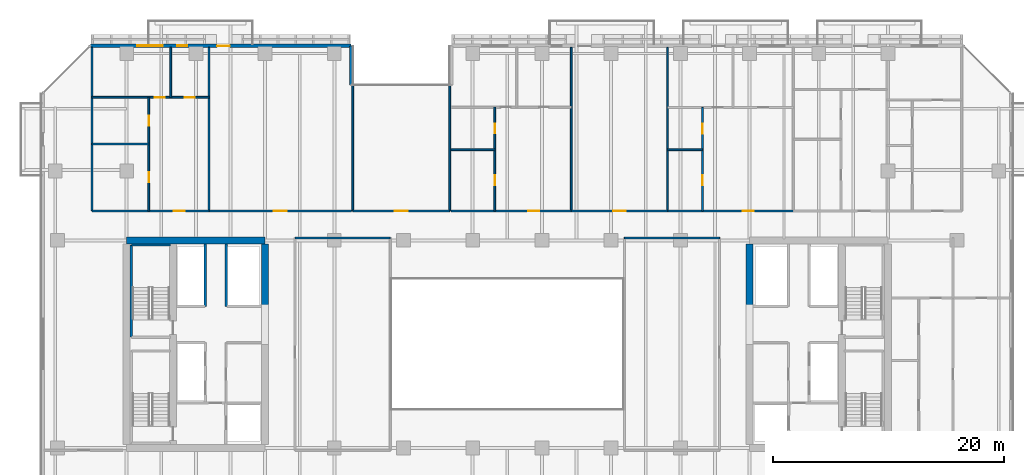
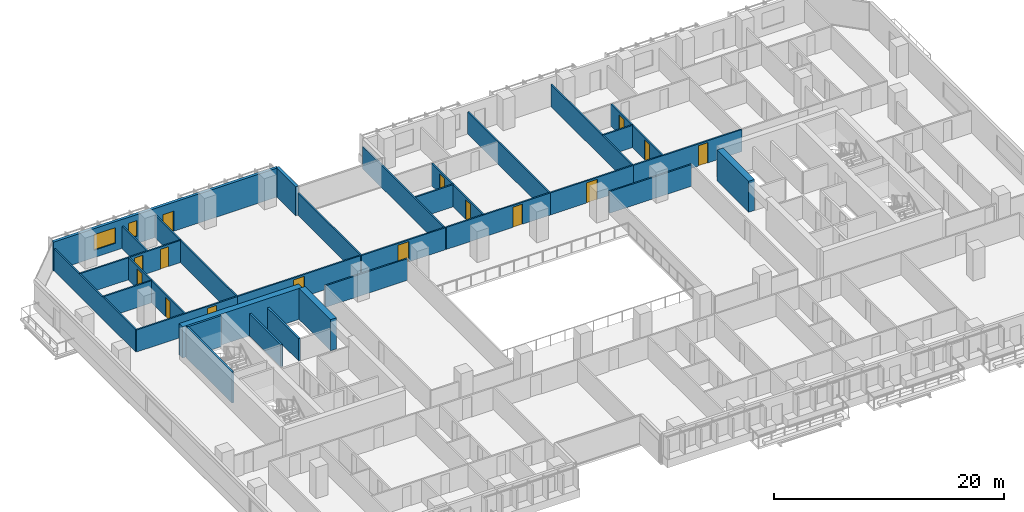
# One storey, part 21 of 33: 31 walls, 15 doors, 2 windows, 17 openings.
"""IFC4 building model written with IfcOpenShell, lengths in metres."""

from ifc_helpers import new_model, si_unit, direction, frame, frame_2d, origin, place, context, subcontext, project, spatial, rectangle, extrude, material, layer, layer_set, type_object, element, fill, save


model = new_model("IFC4")

# Units and contexts
model_context = context("Model", 3, precision=1e-05, world=origin(), true_north=direction((0.0, 1.0)))
body_context = subcontext(model_context, "Body", "Model", "MODEL_VIEW")
ifc_project = project(units=[si_unit("LENGTHUNIT", "METRE"), si_unit("AREAUNIT", "SQUARE_METRE"), si_unit("VOLUMEUNIT", "CUBIC_METRE"), si_unit("PLANEANGLEUNIT", "RADIAN"), si_unit("MASSUNIT", "GRAM", prefix="KILO")], contexts=[model_context])

# Site, building, storey
site_placement = place(None, origin())
site = spatial("IfcSite", under=ifc_project, at=site_placement, CompositionType="ELEMENT")
building_placement = place(site_placement, origin())
building = spatial("IfcBuilding", under=site, at=building_placement, Name="Tanjung Sevakor Pilgrim Tower", CompositionType="ELEMENT")
storey_placement = place(building_placement, frame((0.0, 0.0, 52.139892578125)))
storey = spatial("IfcBuildingStorey", under=building, at=storey_placement, Name="L14", CompositionType="ELEMENT", Elevation=52.139892578125)

# Walls
ifc_material_1 = material(Name="Concrete C60/75", Category="concrete")
ifc_layer_1 = layer(ifc_material_1, 0.60009765625)
ifc_layer_set_1 = layer_set([ifc_layer_1], Name="WALL-CW-600")
wall_type_1 = type_object("IfcWallType", Name="WALL-CW-600", PredefinedType="SHEAR", material=ifc_layer_set_1)
wall_1_placement = place(storey_placement, frame((36.0, 42.60009765625, 0.0), z_axis=(0.0, 0.0, 1.0), x_axis=(-1.0, 0.0, 0.0)))
element("IfcWall", 1, at=wall_1_placement, inside=storey, type_object=wall_type_1, Name="L14 W Core North Shear Wall", PredefinedType="SHEAR", context=body_context, shape_type="SweptSolid", body=[
    extrude(rectangle(XDim=12.0, YDim=0.60009765625, at=frame_2d((6.0, 0.0))), origin(), (0.0, 0.0, 1.0), 3.300048828125),
])
for number, where, z_axis, x_axis, name in (
    (2, (36.0, 36.800048828125, 0.0), (0.0, 0.0, 1.0), (0.0, 1.0, 0.0), "L14 W Core Inner Shear Wall North"),
    (3, (78.0, 36.800048828125, 0.0), (0.0, 0.0, 1.0), (0.0, 1.0, 0.0), "L14 E Core Inner Shear Wall North"),
):
    element("IfcWall", number, at=place(storey_placement, frame(where, z_axis=z_axis, x_axis=x_axis)), inside=storey, type_object=wall_type_1, Name=name, PredefinedType="SHEAR", context=body_context, shape_type="SweptSolid", body=[
        extrude(rectangle(XDim=5.5, YDim=0.60009765625, at=frame_2d((2.75, 0.0))), origin(), (0.0, 0.0, 1.0), 3.300048828125),
    ])
ifc_material_2 = material(Name="Concrete C40/50", Category="concrete")
ifc_layer_2 = layer(ifc_material_2, 0.14990234375)
ifc_layer_set_2 = layer_set([ifc_layer_2], Name="WT-COMP-150")
wall_type_2 = type_object("IfcWallType", Name="WT-COMP-150", PredefinedType="SOLIDWALL", material=ifc_layer_set_2)
for number, where, z_axis, x_axis, name in (
    (4, (38.60009765625, 42.800048828125, 0.0), (0.0, 0.0, 1.0), (1.0, 0.0, 0.0), "L14 Partition IW-L14-022"),
    (5, (67.14990234375, 42.800048828125, 0.0), (0.0, 0.0, 1.0), (1.0, 0.0, 0.0), "L14 Partition IW-L14-026"),
):
    element("IfcWall", number, at=place(storey_placement, frame(where, z_axis=z_axis, x_axis=x_axis)), inside=storey, type_object=wall_type_2, Name=name, PredefinedType="SOLIDWALL", context=body_context, shape_type="SweptSolid", body=[
        extrude(rectangle(XDim=8.25, YDim=0.14990234375, at=frame_2d((4.125, 0.0))), origin(), (0.0, 0.0, 1.0), 2.295166015625),
    ])

# Wall, opening, door
wall_2_placement = place(storey_placement, frame((43.60009765625, 45.14990234375, 0.0), z_axis=(0.0, 0.0, 1.0), x_axis=(1.0, 0.0, 0.0)))
wall_2 = element("IfcWall", 6, at=wall_2_placement, inside=storey, type_object=wall_type_2, Name="L14 Partition IW-L14-039", PredefinedType="SOLIDWALL", context=body_context, shape_type="SweptSolid", body=[
    extrude(rectangle(XDim=8.39990234375, YDim=0.14990234375, at=frame_2d((4.199951171875, 0.0))), origin(), (0.0, 0.0, 1.0), 2.35009765625),
])
opening_1_placement = place(wall_2_placement, frame((3.64990234375, 0.0, 0.0)))
opening_1 = element("IfcOpeningElement", 7, at=opening_1_placement, cuts=wall_2, Name="Opening ID-RM2", PredefinedType="OPENING", context=body_context, shape_type="SweptSolid", body=[
    extrude(rectangle(XDim=1.10009765625, YDim=2.14990234375, at=frame_2d((0.550048828125, 1.074951171875))), frame((0.0, 0.0849609375, 0.0), z_axis=(0.0, -1.0, 0.0), x_axis=(1.0, 0.0, 0.0)), (0.0, 0.0, 1.0), 0.169921875),
])
ifc_material_3 = material(Name="Hardwood Timber", Category="wood")
door_type_1 = type_object("IfcDoorType", Name="DT-INT-1100", OperationType="NOTDEFINED", PredefinedType="DOOR", material=ifc_material_3)
door_1_placement = place(opening_1_placement, origin())
door_1 = element("IfcDoor", 8, at=door_1_placement, inside=storey, type_object=door_type_1, Name="L14 North Cleft Reading Room Door", OperationType="SINGLE_SWING_RIGHT", OverallHeight=2.14990234375, OverallWidth=1.10009765625, PredefinedType="DOOR", context=body_context, shape_type="SweptSolid", body=[
    extrude(rectangle(XDim=1.10009765625, YDim=2.14990234375, at=frame_2d((0.550048828125, 1.074951171875))), frame((0.0, 0.02490234375, 0.0), z_axis=(0.0, -1.0, 0.0), x_axis=(1.0, 0.0, 0.0)), (0.0, 0.0, 1.0), 0.050048828125),
])
fill(opening_1, door_1)

# Walls
for number, where, z_axis, x_axis, name in (
    (9, (43.60009765625, 45.14990234375, 0.0), (0.0, 0.0, 1.0), (0.0, 1.0, 0.0), "L14 Partition IW-L14-040"),
    (10, (52.0, 45.14990234375, 0.0), (0.0, 0.0, 1.0), (0.0, 1.0, 0.0), "L14 Partition IW-L14-041"),
    (11, (21.0, 45.14990234375, 0.0), (0.0, 0.0, 1.0), (0.0, 1.0, 0.0), "L14 Partition IW-L14-074"),
    (12, (31.137939453125, 45.14990234375, 0.0), (0.0, 0.0, 1.0), (0.0, 1.0, 0.0), "L14 Partition IW-L14-075"),
):
    element("IfcWall", number, at=place(storey_placement, frame(where, z_axis=z_axis, x_axis=x_axis)), inside=storey, type_object=wall_type_2, Name=name, PredefinedType="SOLIDWALL", context=body_context, shape_type="SweptSolid", body=[
        extrude(rectangle(XDim=14.170166015625, YDim=0.14990234375, at=frame_2d((7.0849609375, 0.0))), origin(), (0.0, 0.0, 1.0), 2.35009765625),
    ])

# Wall, opening, door
wall_3_placement = place(storey_placement, frame((21.0, 45.14990234375, 0.0), z_axis=(0.0, 0.0, 1.0), x_axis=(1.0, 0.0, 0.0)))
wall_3 = element("IfcWall", 13, at=wall_3_placement, inside=storey, type_object=wall_type_2, Name="L14 Partition IW-L14-080", PredefinedType="SOLIDWALL", context=body_context, shape_type="SweptSolid", body=[
    extrude(rectangle(XDim=10.137939453125, YDim=0.14990234375, at=frame_2d((5.06884765625, 0.0))), origin(), (0.0, 0.0, 1.0), 2.35009765625),
])
opening_2_placement = place(wall_3_placement, frame((7.093994140625, 0.0, 0.0)))
opening_2 = element("IfcOpeningElement", 14, at=opening_2_placement, cuts=wall_3, Name="Opening ID-FD2", PredefinedType="OPENING", context=body_context, shape_type="SweptSolid", body=[
    extrude(rectangle(XDim=0.949951171875, YDim=2.14990234375, at=frame_2d((0.47509765625, 1.074951171875))), frame((0.0, 0.0849609375, 0.0), z_axis=(0.0, -1.0, 0.0), x_axis=(1.0, 0.0, 0.0)), (0.0, 0.0, 1.0), 0.169921875),
])
ifc_material_4 = material(Name="Fire-Rated Timber", Category="wood")
door_type_2 = type_object("IfcDoorType", Name="DT-FIRE-950", OperationType="NOTDEFINED", PredefinedType="DOOR", material=ifc_material_4)
door_2_placement = place(opening_2_placement, origin())
door_2 = element("IfcDoor", 15, at=door_2_placement, inside=storey, type_object=door_type_2, Name="Suite Entrance", OperationType="SINGLE_SWING_RIGHT", OverallHeight=2.14990234375, OverallWidth=0.949951171875, PredefinedType="DOOR", context=body_context, shape_type="SweptSolid", body=[
    extrude(rectangle(XDim=0.949951171875, YDim=2.14990234375, at=frame_2d((0.47509765625, 1.074951171875))), frame((0.0, 0.02490234375, 0.0), z_axis=(0.0, -1.0, 0.0), x_axis=(1.0, 0.0, 0.0)), (0.0, 0.0, 1.0), 0.050048828125),
])
fill(opening_2, door_2)

wall_4_placement = place(storey_placement, frame((31.137939453125, 45.14990234375, 0.0), z_axis=(0.0, 0.0, 1.0), x_axis=(1.0, 0.0, 0.0)))
wall_4 = element("IfcWall", 16, at=wall_4_placement, inside=storey, type_object=wall_type_2, Name="L14 Partition IW-L14-081", PredefinedType="SOLIDWALL", context=body_context, shape_type="SweptSolid", body=[
    extrude(rectangle(XDim=12.342041015625, YDim=0.14990234375, at=frame_2d((6.1708984375, 0.0))), origin(), (0.0, 0.0, 1.0), 2.35009765625),
])
opening_3_placement = place(wall_4_placement, frame((5.62109375, 0.0, 0.0)))
opening_3 = element("IfcOpeningElement", 17, at=opening_3_placement, cuts=wall_4, Name="Opening ID-FD0", PredefinedType="OPENING", context=body_context, shape_type="SweptSolid", body=[
    extrude(rectangle(XDim=1.10009765625, YDim=2.14990234375, at=frame_2d((0.550048828125, 1.074951171875))), frame((0.0, 0.0849609375, 0.0), z_axis=(0.0, -1.0, 0.0), x_axis=(1.0, 0.0, 0.0)), (0.0, 0.0, 1.0), 0.169921875),
])
ifc_material_5 = material(Name="Fire-Rated Steel S355J2", Category="steel")
door_type_3 = type_object("IfcDoorType", Name="DT-FIRE-1100", OperationType="NOTDEFINED", PredefinedType="DOOR", material=ifc_material_5)
door_3_placement = place(opening_3_placement, origin())
door_3 = element("IfcDoor", 18, at=door_3_placement, inside=storey, type_object=door_type_3, Name="Seminar Room Door", OperationType="SINGLE_SWING_LEFT", OverallHeight=2.14990234375, OverallWidth=1.10009765625, PredefinedType="DOOR", context=body_context, shape_type="SweptSolid", body=[
    extrude(rectangle(XDim=1.10009765625, YDim=2.14990234375, at=frame_2d((0.550048828125, 1.074951171875))), frame((0.0, 0.02490234375, 0.0), z_axis=(0.0, -1.0, 0.0), x_axis=(1.0, 0.0, 0.0)), (0.0, 0.0, 1.0), 0.050048828125),
])
fill(opening_3, door_3)

# Wall
wall_5_placement = place(storey_placement, frame((62.552490234375, 45.14990234375, 0.0), z_axis=(0.0, 0.0, 1.0), x_axis=(0.0, 1.0, 0.0)))
element("IfcWall", 19, at=wall_5_placement, inside=storey, type_object=wall_type_2, Name="L14 Partition IW-L14-083", PredefinedType="SOLIDWALL", context=body_context, shape_type="SweptSolid", body=[
    extrude(rectangle(XDim=14.170166015625, YDim=0.14990234375, at=frame_2d((7.0849609375, 0.0))), origin(), (0.0, 0.0, 1.0), 2.35009765625),
])

# Wall, opening, door
wall_6_placement = place(storey_placement, frame((52.1201171875, 45.14990234375, 0.0), z_axis=(0.0, 0.0, 1.0), x_axis=(1.0, 0.0, 0.0)))
wall_6 = element("IfcWall", 20, at=wall_6_placement, inside=storey, type_object=wall_type_2, Name="L14 Partition IW-L14-088", PredefinedType="SOLIDWALL", context=body_context, shape_type="SweptSolid", body=[
    extrude(rectangle(XDim=10.432373046875, YDim=0.14990234375, at=frame_2d((5.21630859375, 0.0))), origin(), (0.0, 0.0, 1.0), 2.35009765625),
])
opening_4_placement = place(wall_6_placement, frame((6.681396484375, 0.0, 0.0)))
opening_4 = element("IfcOpeningElement", 21, at=opening_4_placement, cuts=wall_6, Name="Opening ID-FD2", PredefinedType="OPENING", context=body_context, shape_type="SweptSolid", body=[
    extrude(rectangle(XDim=0.949951171875, YDim=2.14990234375, at=frame_2d((0.47509765625, 1.074951171875))), frame((0.0, 0.0849609375, 0.0), z_axis=(0.0, -1.0, 0.0), x_axis=(1.0, 0.0, 0.0)), (0.0, 0.0, 1.0), 0.169921875),
])
door_4_placement = place(opening_4_placement, origin())
door_4 = element("IfcDoor", 22, at=door_4_placement, inside=storey, type_object=door_type_2, Name="Suite Entrance", OperationType="SINGLE_SWING_RIGHT", OverallHeight=2.14990234375, OverallWidth=0.949951171875, PredefinedType="DOOR", context=body_context, shape_type="SweptSolid", body=[
    extrude(rectangle(XDim=0.949951171875, YDim=2.14990234375, at=frame_2d((0.47509765625, 1.074951171875))), frame((0.0, 0.02490234375, 0.0), z_axis=(0.0, -1.0, 0.0), x_axis=(1.0, 0.0, 0.0)), (0.0, 0.0, 1.0), 0.050048828125),
])
fill(opening_4, door_4)

# Wall
wall_7_placement = place(storey_placement, frame((70.8984375, 45.14990234375, 0.0), z_axis=(0.0, 0.0, 1.0), x_axis=(0.0, 1.0, 0.0)))
element("IfcWall", 23, at=wall_7_placement, inside=storey, type_object=wall_type_2, Name="L14 Partition IW-L14-089", PredefinedType="SOLIDWALL", context=body_context, shape_type="SweptSolid", body=[
    extrude(rectangle(XDim=14.170166015625, YDim=0.14990234375, at=frame_2d((7.0849609375, 0.0))), origin(), (0.0, 0.0, 1.0), 2.35009765625),
])

# Wall, opening, door
wall_8_placement = place(storey_placement, frame((62.552490234375, 45.14990234375, 0.0), z_axis=(0.0, 0.0, 1.0), x_axis=(1.0, 0.0, 0.0)))
wall_8 = element("IfcWall", 24, at=wall_8_placement, inside=storey, type_object=wall_type_2, Name="L14 Partition IW-L14-090", PredefinedType="SOLIDWALL", context=body_context, shape_type="SweptSolid", body=[
    extrude(rectangle(XDim=8.345947265625, YDim=0.14990234375, at=frame_2d((4.1728515625, 0.0))), origin(), (0.0, 0.0, 1.0), 2.35009765625),
])
opening_5_placement = place(wall_8_placement, frame((3.623046875, 0.0, 0.0)))
opening_5 = element("IfcOpeningElement", 25, at=opening_5_placement, cuts=wall_8, Name="Opening ID-FD0", PredefinedType="OPENING", context=body_context, shape_type="SweptSolid", body=[
    extrude(rectangle(XDim=1.10009765625, YDim=2.14990234375, at=frame_2d((0.550048828125, 1.074951171875))), frame((0.0, 0.0849609375, 0.0), z_axis=(0.0, -1.0, 0.0), x_axis=(1.0, 0.0, 0.0)), (0.0, 0.0, 1.0), 0.169921875),
])
door_5_placement = place(opening_5_placement, origin())
door_5 = element("IfcDoor", 26, at=door_5_placement, inside=storey, type_object=door_type_3, Name="Council Room Door", OperationType="SINGLE_SWING_LEFT", OverallHeight=2.14990234375, OverallWidth=1.10009765625, PredefinedType="DOOR", context=body_context, shape_type="SweptSolid", body=[
    extrude(rectangle(XDim=1.10009765625, YDim=2.14990234375, at=frame_2d((0.550048828125, 1.074951171875))), frame((0.0, 0.02490234375, 0.0), z_axis=(0.0, -1.0, 0.0), x_axis=(1.0, 0.0, 0.0)), (0.0, 0.0, 1.0), 0.050048828125),
])
fill(opening_5, door_5)

wall_9_placement = place(storey_placement, frame((70.8984375, 45.14990234375, 0.0), z_axis=(0.0, 0.0, 1.0), x_axis=(1.0, 0.0, 0.0)))
wall_9 = element("IfcWall", 27, at=wall_9_placement, inside=storey, type_object=wall_type_2, Name="L14 Partition IW-L14-096", PredefinedType="SOLIDWALL", context=body_context, shape_type="SweptSolid", body=[
    extrude(rectangle(XDim=10.896240234375, YDim=0.14990234375, at=frame_2d((5.4482421875, 0.0))), origin(), (0.0, 0.0, 1.0), 2.35009765625),
])
opening_6_placement = place(wall_9_placement, frame((6.523681640625, 0.0, 0.0)))
opening_6 = element("IfcOpeningElement", 28, at=opening_6_placement, cuts=wall_9, Name="Opening ID-FD2", PredefinedType="OPENING", context=body_context, shape_type="SweptSolid", body=[
    extrude(rectangle(XDim=0.949951171875, YDim=2.14990234375, at=frame_2d((0.47509765625, 1.074951171875))), frame((0.0, 0.0849609375, 0.0), z_axis=(0.0, -1.0, 0.0), x_axis=(1.0, 0.0, 0.0)), (0.0, 0.0, 1.0), 0.169921875),
])
door_6_placement = place(opening_6_placement, origin())
door_6 = element("IfcDoor", 29, at=door_6_placement, inside=storey, type_object=door_type_2, Name="Suite Entrance", OperationType="SINGLE_SWING_RIGHT", OverallHeight=2.14990234375, OverallWidth=0.949951171875, PredefinedType="DOOR", context=body_context, shape_type="SweptSolid", body=[
    extrude(rectangle(XDim=0.949951171875, YDim=2.14990234375, at=frame_2d((0.47509765625, 1.074951171875))), frame((0.0, 0.02490234375, 0.0), z_axis=(0.0, -1.0, 0.0), x_axis=(1.0, 0.0, 0.0)), (0.0, 0.0, 1.0), 0.050048828125),
])
fill(opening_6, door_6)

# Wall
ifc_material_6 = material(Name="Precast concrete C45/55", Category="concrete")
ifc_layer_3 = layer(ifc_material_6, 0.280029296875)
ifc_layer_set_3 = layer_set([ifc_layer_3], Name="WT-EW-STN2")
wall_type_3 = type_object("IfcWallType", Name="WT-EW-STN2", PredefinedType="SOLIDWALL", material=ifc_layer_set_3)
wall_10_placement = place(storey_placement, frame((43.4599609375, 56.06005859375, 0.0), z_axis=(0.0, 0.0, 1.0), x_axis=(0.0, 1.0, 0.0)))
element("IfcWall", 30, at=wall_10_placement, inside=storey, type_object=wall_type_3, Name="L14 MAIN Exterior Wall 12", PredefinedType="SOLIDWALL", context=body_context, shape_type="SweptSolid", body=[
    extrude(rectangle(XDim=3.39990234375, YDim=0.280029296875, at=frame_2d((1.699951171875, 0.0))), origin(), (0.0, 0.0, 1.0), 3.080078125),
])

# Wall, openings, door, windows
wall_11_placement = place(storey_placement, frame((43.4599609375, 59.4599609375, 0.0), z_axis=(0.0, 0.0, 1.0), x_axis=(-1.0, 0.0, 0.0)))
wall_11 = element("IfcWall", 31, at=wall_11_placement, inside=storey, type_object=wall_type_3, Name="L14 MAIN Exterior Wall 13", PredefinedType="SOLIDWALL", context=body_context, shape_type="SweptSolid", body=[
    extrude(rectangle(XDim=22.60205078125, YDim=0.280029296875, at=frame_2d((11.301025390625, 0.0))), origin(), (0.0, 0.0, 1.0), 3.080078125),
])
opening_7_placement = place(wall_11_placement, frame((10.510009765625, 0.0, 0.0)))
opening_7 = element("IfcOpeningElement", 32, at=opening_7_placement, cuts=wall_11, Name="Opening ED-BAL-1100", PredefinedType="OPENING", context=body_context, shape_type="SweptSolid", body=[
    extrude(rectangle(XDim=1.10009765625, YDim=2.14990234375, at=frame_2d((0.550048828125, 1.074951171875))), frame((0.0, 0.14990234375, 0.0), z_axis=(0.0, -1.0, 0.0), x_axis=(1.0, 0.0, 0.0)), (0.0, 0.0, 1.0), 0.300048828125),
])
opening_8_placement = place(wall_11_placement, frame((16.340087890625, 0.0, 0.780029296875)))
opening_8 = element("IfcOpeningElement", 33, at=opening_8_placement, cuts=wall_11, Name="Opening WN-Z1-1660", PredefinedType="OPENING", context=body_context, shape_type="SweptSolid", body=[
    extrude(rectangle(XDim=2.199951171875, YDim=1.659912109375, at=frame_2d((1.10009765625, 0.830078125))), frame((0.0, 0.14990234375, 0.0), z_axis=(0.0, -1.0, 0.0), x_axis=(1.0, 0.0, 0.0)), (0.0, 0.0, 1.0), 0.300048828125),
])
opening_9_placement = place(wall_11_placement, frame((14.2060546875, 0.0, 0.780029296875)))
opening_9 = element("IfcOpeningElement", 34, at=opening_9_placement, cuts=wall_11, Name="Opening WN-SLM", PredefinedType="OPENING", context=body_context, shape_type="SweptSolid", body=[
    extrude(rectangle(XDim=0.85009765625, YDim=1.64990234375, at=frame_2d((0.425048828125, 0.824951171875))), frame((0.0, 0.14990234375, 0.0), z_axis=(0.0, -1.0, 0.0), x_axis=(1.0, 0.0, 0.0)), (0.0, 0.0, 1.0), 0.300048828125),
])
ifc_material_7 = material(Name="Anodised Aluminium and Laminated Glass", Category="aluminium")
door_type_4 = type_object("IfcDoorType", Name="DTYP-ED-BAL-1100", OperationType="NOTDEFINED", PredefinedType="DOOR", material=ifc_material_7)
door_7_placement = place(opening_7_placement, frame((1.10009765625, 0.0, 0.0), z_axis=(0.0, 0.0, 1.0), x_axis=(-1.0, 0.0, 0.0)))
door_7 = element("IfcDoor", 35, at=door_7_placement, inside=storey, type_object=door_type_4, Name="L14 Balcony Door MAIN-N1", OperationType="SINGLE_SWING_RIGHT", OverallHeight=2.14990234375, OverallWidth=1.10009765625, PredefinedType="DOOR", context=body_context, shape_type="SweptSolid", body=[
    extrude(rectangle(XDim=1.10009765625, YDim=2.14990234375, at=frame_2d((0.550048828125, 1.074951171875))), frame((0.0, 0.02490234375, 0.0), z_axis=(0.0, -1.0, 0.0), x_axis=(1.0, 0.0, 0.0)), (0.0, 0.0, 1.0), 0.050048828125),
])
fill(opening_7, door_7)
ifc_material_8 = material(Name="Thermally Broken Aluminium and Low-E Glass", Category="aluminium")
window_type_1 = type_object("IfcWindowType", Name="WTYP-WN-SLM", PartitioningType="SINGLE_PANEL", PredefinedType="WINDOW", material=ifc_material_8)
window_1_placement = place(opening_9_placement, origin())
window_1 = element("IfcWindow", 36, at=window_1_placement, inside=storey, type_object=window_type_1, Name="L14 Facade Window 02", OverallHeight=1.64990234375, OverallWidth=0.85009765625, PartitioningType="SINGLE_PANEL", PredefinedType="WINDOW", context=body_context, shape_type="SweptSolid", body=[
    extrude(rectangle(XDim=0.85009765625, YDim=1.64990234375, at=frame_2d((0.425048828125, 0.824951171875))), frame((0.0, 0.030029296875, 0.0), z_axis=(0.0, -1.0, 0.0), x_axis=(1.0, 0.0, 0.0)), (0.0, 0.0, 1.0), 0.06005859375),
])
fill(opening_9, window_1)
ifc_material_9 = material(Name="Thermally Broken Aluminium and Low-E Glass", Category="aluminium")
window_type_2 = type_object("IfcWindowType", Name="WTYP-WN-Z1-1660", PartitioningType="DOUBLE_PANEL_VERTICAL", PredefinedType="WINDOW", material=ifc_material_9)
window_2_placement = place(opening_8_placement, origin())
window_2 = element("IfcWindow", 37, at=window_2_placement, inside=storey, type_object=window_type_2, Name="L14 Facade Window 01", OverallHeight=1.659912109375, OverallWidth=2.199951171875, PartitioningType="SINGLE_PANEL", PredefinedType="WINDOW", context=body_context, shape_type="SweptSolid", body=[
    extrude(rectangle(XDim=2.199951171875, YDim=1.659912109375, at=frame_2d((1.10009765625, 0.830078125))), frame((0.0, 0.030029296875, 0.0), z_axis=(0.0, -1.0, 0.0), x_axis=(1.0, 0.0, 0.0)), (0.0, 0.0, 1.0), 0.06005859375),
])
fill(opening_8, window_2)

# Walls
ifc_material_10 = material(Name="Concrete C40/50", Category="concrete")
ifc_layer_4 = layer(ifc_material_10, 0.199951171875)
ifc_layer_set_4 = layer_set([ifc_layer_4], Name="WT-FIRE-200")
wall_type_4 = type_object("IfcWallType", Name="WT-FIRE-200", PredefinedType="SOLIDWALL", material=ifc_layer_set_4)
wall_12_placement = place(storey_placement, frame((27.800048828125, 42.199951171875, 0.0), z_axis=(0.0, 0.0, 1.0), x_axis=(-1.0, 0.0, 0.0)))
element("IfcWall", 38, at=wall_12_placement, inside=storey, type_object=wall_type_4, Name="L14 TS-W2 Shaft Wall 2", PredefinedType="SOLIDWALL", context=body_context, shape_type="SweptSolid", body=[
    extrude(rectangle(XDim=3.400146484375, YDim=0.199951171875, at=frame_2d((1.7001953125, 0.0))), origin(), (0.0, 0.0, 1.0), 3.300048828125),
])
wall_13_placement = place(storey_placement, frame((24.39990234375, 42.199951171875, 0.0), z_axis=(0.0, 0.0, 1.0), x_axis=(0.0, -1.0, 0.0)))
element("IfcWall", 39, at=wall_13_placement, inside=storey, type_object=wall_type_4, Name="L14 TS-W2 Shaft Wall 3", PredefinedType="SOLIDWALL", context=body_context, shape_type="SweptSolid", body=[
    extrude(rectangle(XDim=8.0, YDim=0.199951171875, at=frame_2d((4.0, 0.0))), origin(), (0.0, 0.0, 1.0), 3.300048828125),
])
ifc_material_11 = material(Name="Concrete C40/50", Category="concrete")
ifc_layer_5 = layer(ifc_material_11, 0.199951171875)
ifc_layer_set_5 = layer_set([ifc_layer_5], Name="WT-FPRT-200")
wall_type_5 = type_object("IfcWallType", Name="WT-FPRT-200", PredefinedType="SOLIDWALL", material=ifc_layer_set_5)
for number, where, z_axis, x_axis, name in (
    (40, (30.820068359375, 36.8798828125, 0.0), (0.0, 0.0, 1.0), (0.0, 1.0, 0.0), "L14 Partition IW-L14-008"),
    (41, (32.6201171875, 36.8798828125, 0.0), (0.0, 0.0, 1.0), (0.0, 1.0, 0.0), "L14 Partition IW-L14-010"),
):
    element("IfcWall", number, at=place(storey_placement, frame(where, z_axis=z_axis, x_axis=x_axis)), inside=storey, type_object=wall_type_5, Name=name, PredefinedType="SOLIDWALL", context=body_context, shape_type="SweptSolid", body=[
        extrude(rectangle(XDim=5.420166015625, YDim=0.199951171875, at=frame_2d((2.7099609375, 0.0))), origin(), (0.0, 0.0, 1.0), 2.35009765625),
    ])
ifc_material_12 = material(Name="Gypsum Board Partition", Category="gypsum board")
ifc_layer_6 = layer(ifc_material_12, 0.14990234375)
ifc_layer_set_6 = layer_set([ifc_layer_6], Name="WT-PART-150")
wall_type_6 = type_object("IfcWallType", Name="WT-PART-150", PredefinedType="PARTITIONING", material=ifc_layer_set_6)
wall_14_placement = place(storey_placement, frame((21.0, 50.958251953125, 0.0), z_axis=(0.0, 0.0, 1.0), x_axis=(1.0, 0.0, 0.0)))
element("IfcWall", 42, at=wall_14_placement, inside=storey, type_object=wall_type_6, Name="L14 Partition IW-L14-076", PredefinedType="PARTITIONING", context=body_context, shape_type="SweptSolid", body=[
    extrude(rectangle(XDim=4.919921875, YDim=0.14990234375, at=frame_2d((2.4599609375, 0.0))), origin(), (0.0, 0.0, 1.0), 2.35009765625),
])

# Wall, openings, doors
wall_15_placement = place(storey_placement, frame((25.919921875, 45.14990234375, 0.0), z_axis=(0.0, 0.0, 1.0), x_axis=(0.0, 1.0, 0.0)))
wall_15 = element("IfcWall", 43, at=wall_15_placement, inside=storey, type_object=wall_type_6, Name="L14 Partition IW-L14-077", PredefinedType="PARTITIONING", context=body_context, shape_type="SweptSolid", body=[
    extrude(rectangle(XDim=9.844482421875, YDim=0.14990234375, at=frame_2d((4.92236328125, 0.0))), origin(), (0.0, 0.0, 1.0), 2.35009765625),
])
opening_10_placement = place(wall_15_placement, frame((2.479248046875, 0.0, 0.0)))
opening_10 = element("IfcOpeningElement", 44, at=opening_10_placement, cuts=wall_15, Name="Opening ID-WC1", PredefinedType="OPENING", context=body_context, shape_type="SweptSolid", body=[
    extrude(rectangle(XDim=0.85009765625, YDim=2.10009765625, at=frame_2d((0.425048828125, 1.050048828125))), frame((0.0, 0.0849609375, 0.0), z_axis=(0.0, -1.0, 0.0), x_axis=(1.0, 0.0, 0.0)), (0.0, 0.0, 1.0), 0.169921875),
])
opening_11_placement = place(wall_15_placement, frame((7.4013671875, 0.0, 0.0)))
opening_11 = element("IfcOpeningElement", 45, at=opening_11_placement, cuts=wall_15, Name="Opening ID-WC1", PredefinedType="OPENING", context=body_context, shape_type="SweptSolid", body=[
    extrude(rectangle(XDim=0.85009765625, YDim=2.10009765625, at=frame_2d((0.425048828125, 1.050048828125))), frame((0.0, 0.0849609375, 0.0), z_axis=(0.0, -1.0, 0.0), x_axis=(1.0, 0.0, 0.0)), (0.0, 0.0, 1.0), 0.169921875),
])
ifc_material_13 = material(Name="Moisture-Resistant Timber", Category="wood")
door_type_5 = type_object("IfcDoorType", Name="DT-INT-850", OperationType="NOTDEFINED", PredefinedType="DOOR", material=ifc_material_13)
door_8_placement = place(opening_10_placement, origin())
door_8 = element("IfcDoor", 46, at=door_8_placement, inside=storey, type_object=door_type_5, Name="Suite Kitchenette Door", OperationType="SINGLE_SWING_RIGHT", OverallHeight=2.10009765625, OverallWidth=0.85009765625, PredefinedType="DOOR", context=body_context, shape_type="SweptSolid", body=[
    extrude(rectangle(XDim=0.85009765625, YDim=2.10009765625, at=frame_2d((0.425048828125, 1.050048828125))), frame((0.0, 0.02490234375, 0.0), z_axis=(0.0, -1.0, 0.0), x_axis=(1.0, 0.0, 0.0)), (0.0, 0.0, 1.0), 0.050048828125),
])
fill(opening_10, door_8)
door_9_placement = place(opening_11_placement, origin())
door_9 = element("IfcDoor", 47, at=door_9_placement, inside=storey, type_object=door_type_5, Name="Suite Bathroom Door", OperationType="SINGLE_SWING_LEFT", OverallHeight=2.10009765625, OverallWidth=0.85009765625, PredefinedType="DOOR", context=body_context, shape_type="SweptSolid", body=[
    extrude(rectangle(XDim=0.85009765625, YDim=2.10009765625, at=frame_2d((0.425048828125, 1.050048828125))), frame((0.0, 0.02490234375, 0.0), z_axis=(0.0, -1.0, 0.0), x_axis=(1.0, 0.0, 0.0)), (0.0, 0.0, 1.0), 0.050048828125),
])
fill(opening_11, door_9)

# Wall
wall_16_placement = place(storey_placement, frame((27.820068359375, 54.994384765625, 0.0), z_axis=(0.0, 0.0, 1.0), x_axis=(0.0, 1.0, 0.0)))
element("IfcWall", 48, at=wall_16_placement, inside=storey, type_object=wall_type_6, Name="L14 Partition IW-L14-078", PredefinedType="PARTITIONING", context=body_context, shape_type="SweptSolid", body=[
    extrude(rectangle(XDim=4.32568359375, YDim=0.14990234375, at=frame_2d((2.162841796875, 0.0))), origin(), (0.0, 0.0, 1.0), 2.35009765625),
])

# Wall, openings, doors
wall_17_placement = place(storey_placement, frame((21.0, 54.994384765625, 0.0), z_axis=(0.0, 0.0, 1.0), x_axis=(1.0, 0.0, 0.0)))
wall_17 = element("IfcWall", 49, at=wall_17_placement, inside=storey, type_object=wall_type_6, Name="L14 Partition IW-L14-079", PredefinedType="PARTITIONING", context=body_context, shape_type="SweptSolid", body=[
    extrude(rectangle(XDim=10.137939453125, YDim=0.14990234375, at=frame_2d((5.06884765625, 0.0))), origin(), (0.0, 0.0, 1.0), 2.35009765625),
])
opening_12_placement = place(wall_17_placement, frame((5.445068359375, 0.0, 0.0)))
opening_12 = element("IfcOpeningElement", 50, at=opening_12_placement, cuts=wall_17, Name="Opening ID-WC1", PredefinedType="OPENING", context=body_context, shape_type="SweptSolid", body=[
    extrude(rectangle(XDim=0.85009765625, YDim=2.10009765625, at=frame_2d((0.425048828125, 1.050048828125))), frame((0.0, 0.0849609375, 0.0), z_axis=(0.0, -1.0, 0.0), x_axis=(1.0, 0.0, 0.0)), (0.0, 0.0, 1.0), 0.169921875),
])
opening_13_placement = place(wall_17_placement, frame((8.053955078125, 0.0, 0.0)))
opening_13 = element("IfcOpeningElement", 51, at=opening_13_placement, cuts=wall_17, Name="Opening ID-WC1", PredefinedType="OPENING", context=body_context, shape_type="SweptSolid", body=[
    extrude(rectangle(XDim=0.85009765625, YDim=2.10009765625, at=frame_2d((0.425048828125, 1.050048828125))), frame((0.0, 0.0849609375, 0.0), z_axis=(0.0, -1.0, 0.0), x_axis=(1.0, 0.0, 0.0)), (0.0, 0.0, 1.0), 0.169921875),
])
door_10_placement = place(opening_12_placement, origin())
door_10 = element("IfcDoor", 52, at=door_10_placement, inside=storey, type_object=door_type_5, Name="Suite Bedroom 1 Door", OperationType="SINGLE_SWING_RIGHT", OverallHeight=2.10009765625, OverallWidth=0.85009765625, PredefinedType="DOOR", context=body_context, shape_type="SweptSolid", body=[
    extrude(rectangle(XDim=0.85009765625, YDim=2.10009765625, at=frame_2d((0.425048828125, 1.050048828125))), frame((0.0, 0.02490234375, 0.0), z_axis=(0.0, -1.0, 0.0), x_axis=(1.0, 0.0, 0.0)), (0.0, 0.0, 1.0), 0.050048828125),
])
fill(opening_12, door_10)
door_11_placement = place(opening_13_placement, origin())
door_11 = element("IfcDoor", 53, at=door_11_placement, inside=storey, type_object=door_type_5, Name="Suite Bedroom 2 Door", OperationType="SINGLE_SWING_LEFT", OverallHeight=2.10009765625, OverallWidth=0.85009765625, PredefinedType="DOOR", context=body_context, shape_type="SweptSolid", body=[
    extrude(rectangle(XDim=0.85009765625, YDim=2.10009765625, at=frame_2d((0.425048828125, 1.050048828125))), frame((0.0, 0.02490234375, 0.0), z_axis=(0.0, -1.0, 0.0), x_axis=(1.0, 0.0, 0.0)), (0.0, 0.0, 1.0), 0.050048828125),
])
fill(opening_13, door_11)

# Wall
wall_18_placement = place(storey_placement, frame((52.1201171875, 50.456787109375, 0.0), z_axis=(0.0, 0.0, 1.0), x_axis=(1.0, 0.0, 0.0)))
element("IfcWall", 54, at=wall_18_placement, inside=storey, type_object=wall_type_6, Name="L14 Partition IW-L14-084", PredefinedType="PARTITIONING", context=body_context, shape_type="SweptSolid", body=[
    extrude(rectangle(XDim=3.7998046875, YDim=0.14990234375, at=frame_2d((1.89990234375, 0.0))), origin(), (0.0, 0.0, 1.0), 2.35009765625),
])

# Wall, openings, doors
wall_19_placement = place(storey_placement, frame((55.919921875, 45.14990234375, 0.0), z_axis=(0.0, 0.0, 1.0), x_axis=(0.0, 1.0, 0.0)))
wall_19 = element("IfcWall", 55, at=wall_19_placement, inside=storey, type_object=wall_type_6, Name="L14 Partition IW-L14-085", PredefinedType="PARTITIONING", context=body_context, shape_type="SweptSolid", body=[
    extrude(rectangle(XDim=8.99462890625, YDim=0.14990234375, at=frame_2d((4.497314453125, 0.0))), origin(), (0.0, 0.0, 1.0), 2.35009765625),
])
opening_14_placement = place(wall_19_placement, frame((2.228515625, 0.0, 0.0)))
opening_14 = element("IfcOpeningElement", 56, at=opening_14_placement, cuts=wall_19, Name="Opening ID-WC1", PredefinedType="OPENING", context=body_context, shape_type="SweptSolid", body=[
    extrude(rectangle(XDim=0.85009765625, YDim=2.10009765625, at=frame_2d((0.425048828125, 1.050048828125))), frame((0.0, 0.0849609375, 0.0), z_axis=(0.0, -1.0, 0.0), x_axis=(1.0, 0.0, 0.0)), (0.0, 0.0, 1.0), 0.169921875),
])
opening_15_placement = place(wall_19_placement, frame((6.7255859375, 0.0, 0.0)))
opening_15 = element("IfcOpeningElement", 57, at=opening_15_placement, cuts=wall_19, Name="Opening ID-WC1", PredefinedType="OPENING", context=body_context, shape_type="SweptSolid", body=[
    extrude(rectangle(XDim=0.85009765625, YDim=2.10009765625, at=frame_2d((0.425048828125, 1.050048828125))), frame((0.0, 0.0849609375, 0.0), z_axis=(0.0, -1.0, 0.0), x_axis=(1.0, 0.0, 0.0)), (0.0, 0.0, 1.0), 0.169921875),
])
door_12_placement = place(opening_14_placement, origin())
door_12 = element("IfcDoor", 58, at=door_12_placement, inside=storey, type_object=door_type_5, Name="Suite Kitchenette Door", OperationType="SINGLE_SWING_RIGHT", OverallHeight=2.10009765625, OverallWidth=0.85009765625, PredefinedType="DOOR", context=body_context, shape_type="SweptSolid", body=[
    extrude(rectangle(XDim=0.85009765625, YDim=2.10009765625, at=frame_2d((0.425048828125, 1.050048828125))), frame((0.0, 0.02490234375, 0.0), z_axis=(0.0, -1.0, 0.0), x_axis=(1.0, 0.0, 0.0)), (0.0, 0.0, 1.0), 0.050048828125),
])
fill(opening_14, door_12)
door_13_placement = place(opening_15_placement, origin())
door_13 = element("IfcDoor", 59, at=door_13_placement, inside=storey, type_object=door_type_5, Name="Suite Bathroom Door", OperationType="SINGLE_SWING_LEFT", OverallHeight=2.10009765625, OverallWidth=0.85009765625, PredefinedType="DOOR", context=body_context, shape_type="SweptSolid", body=[
    extrude(rectangle(XDim=0.85009765625, YDim=2.10009765625, at=frame_2d((0.425048828125, 1.050048828125))), frame((0.0, 0.02490234375, 0.0), z_axis=(0.0, -1.0, 0.0), x_axis=(1.0, 0.0, 0.0)), (0.0, 0.0, 1.0), 0.050048828125),
])
fill(opening_15, door_13)

# Wall
wall_20_placement = place(storey_placement, frame((70.8984375, 50.4423828125, 0.0), z_axis=(0.0, 0.0, 1.0), x_axis=(1.0, 0.0, 0.0)))
element("IfcWall", 60, at=wall_20_placement, inside=storey, type_object=wall_type_6, Name="L14 Partition IW-L14-092", PredefinedType="PARTITIONING", context=body_context, shape_type="SweptSolid", body=[
    extrude(rectangle(XDim=3.021484375, YDim=0.14990234375, at=frame_2d((1.5107421875, 0.0))), origin(), (0.0, 0.0, 1.0), 2.35009765625),
])

# Wall, openings, doors
wall_21_placement = place(storey_placement, frame((73.919921875, 45.14990234375, 0.0), z_axis=(0.0, 0.0, 1.0), x_axis=(0.0, 1.0, 0.0)))
wall_21 = element("IfcWall", 61, at=wall_21_placement, inside=storey, type_object=wall_type_6, Name="L14 Partition IW-L14-093", PredefinedType="PARTITIONING", context=body_context, shape_type="SweptSolid", body=[
    extrude(rectangle(XDim=8.97021484375, YDim=0.14990234375, at=frame_2d((4.485107421875, 0.0))), origin(), (0.0, 0.0, 1.0), 2.35009765625),
])
opening_16_placement = place(wall_21_placement, frame((2.22119140625, 0.0, 0.0)))
opening_16 = element("IfcOpeningElement", 62, at=opening_16_placement, cuts=wall_21, Name="Opening ID-WC1", PredefinedType="OPENING", context=body_context, shape_type="SweptSolid", body=[
    extrude(rectangle(XDim=0.85009765625, YDim=2.10009765625, at=frame_2d((0.425048828125, 1.050048828125))), frame((0.0, 0.0849609375, 0.0), z_axis=(0.0, -1.0, 0.0), x_axis=(1.0, 0.0, 0.0)), (0.0, 0.0, 1.0), 0.169921875),
])
opening_17_placement = place(wall_21_placement, frame((6.706298828125, 0.0, 0.0)))
opening_17 = element("IfcOpeningElement", 63, at=opening_17_placement, cuts=wall_21, Name="Opening ID-WC1", PredefinedType="OPENING", context=body_context, shape_type="SweptSolid", body=[
    extrude(rectangle(XDim=0.85009765625, YDim=2.10009765625, at=frame_2d((0.425048828125, 1.050048828125))), frame((0.0, 0.0849609375, 0.0), z_axis=(0.0, -1.0, 0.0), x_axis=(1.0, 0.0, 0.0)), (0.0, 0.0, 1.0), 0.169921875),
])
door_14_placement = place(opening_16_placement, origin())
door_14 = element("IfcDoor", 64, at=door_14_placement, inside=storey, type_object=door_type_5, Name="Suite Kitchenette Door", OperationType="SINGLE_SWING_RIGHT", OverallHeight=2.10009765625, OverallWidth=0.85009765625, PredefinedType="DOOR", context=body_context, shape_type="SweptSolid", body=[
    extrude(rectangle(XDim=0.85009765625, YDim=2.10009765625, at=frame_2d((0.425048828125, 1.050048828125))), frame((0.0, 0.02490234375, 0.0), z_axis=(0.0, -1.0, 0.0), x_axis=(1.0, 0.0, 0.0)), (0.0, 0.0, 1.0), 0.050048828125),
])
fill(opening_16, door_14)
door_15_placement = place(opening_17_placement, origin())
door_15 = element("IfcDoor", 65, at=door_15_placement, inside=storey, type_object=door_type_5, Name="Suite Bathroom Door", OperationType="SINGLE_SWING_LEFT", OverallHeight=2.10009765625, OverallWidth=0.85009765625, PredefinedType="DOOR", context=body_context, shape_type="SweptSolid", body=[
    extrude(rectangle(XDim=0.85009765625, YDim=2.10009765625, at=frame_2d((0.425048828125, 1.050048828125))), frame((0.0, 0.02490234375, 0.0), z_axis=(0.0, -1.0, 0.0), x_axis=(1.0, 0.0, 0.0)), (0.0, 0.0, 1.0), 0.050048828125),
])
fill(opening_17, door_15)

save(model, "model.ifc")
